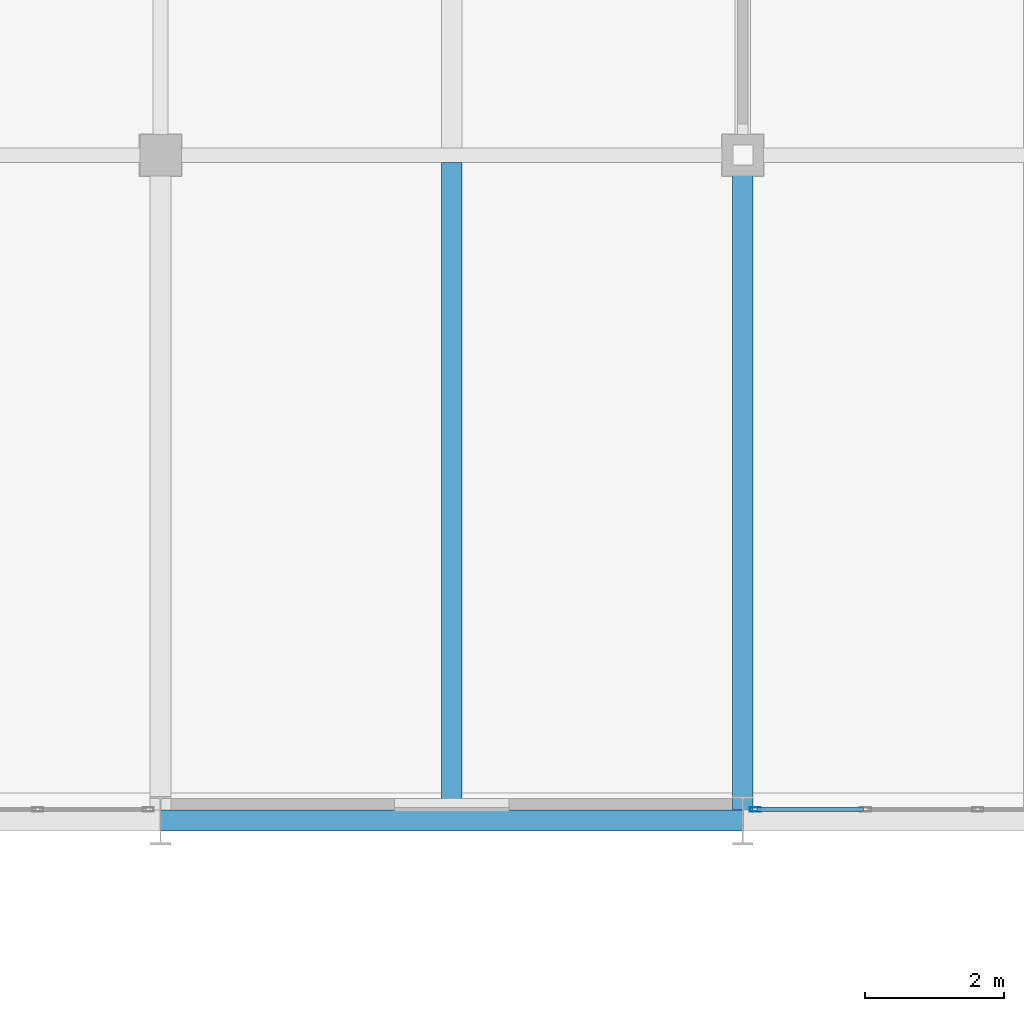
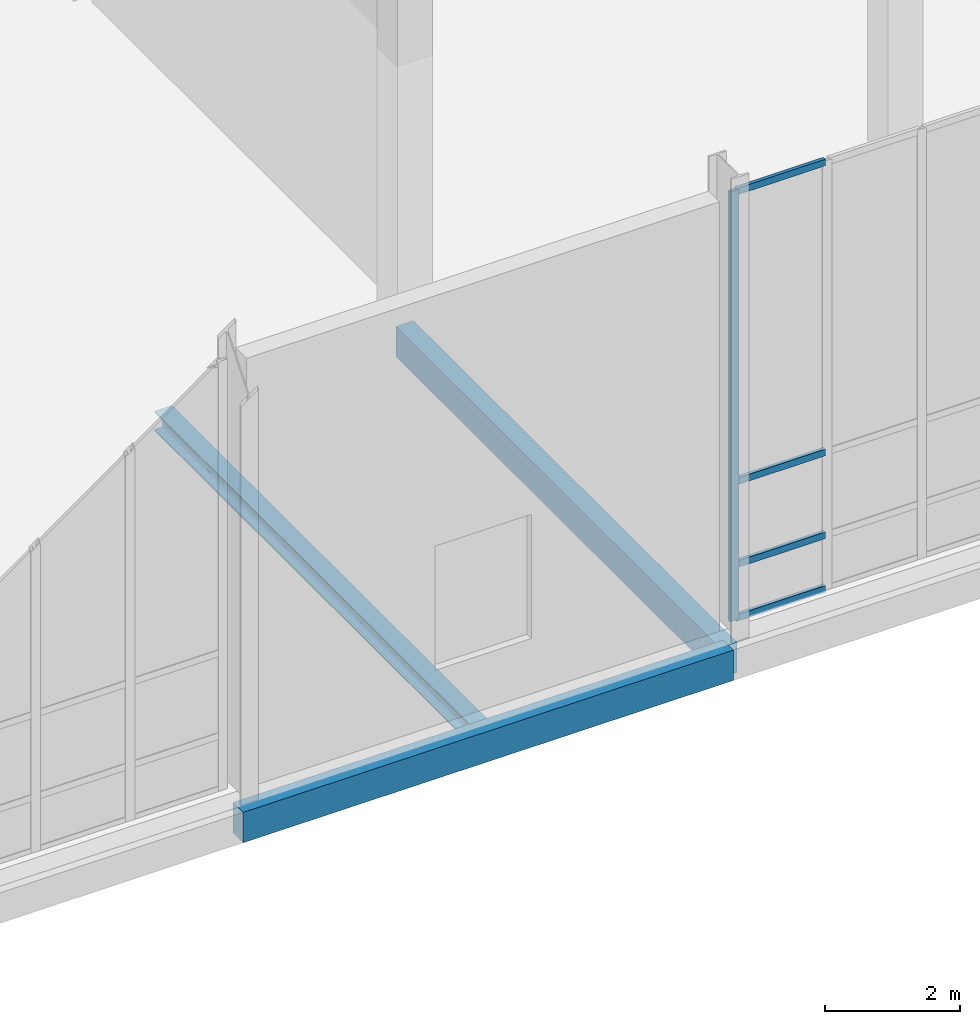
# One storey, part 83 of 131: 5 members, 3 beams, 1 element without a shape of its own.
"""IFC4 building model written with IfcOpenShell, lengths in metres."""

from ifc_helpers import new_model, si_unit, direction, frame, origin, origin_2d, place, context, subcontext, project, spatial, rectangle, hollow_rectangle, i_section, extrude, material, material_profile, profile_set, type_object, element, aggregate, save


model = new_model("IFC4")

# Units and contexts
model_context = context("Model", 3, precision=1e-05, world=origin(), true_north=direction((0.0, 1.0)))
body_context = subcontext(model_context, "Body", "Model", "MODEL_VIEW")
ifc_project = project(units=[si_unit("LENGTHUNIT", "METRE"), si_unit("AREAUNIT", "SQUARE_METRE"), si_unit("VOLUMEUNIT", "CUBIC_METRE"), si_unit("PLANEANGLEUNIT", "RADIAN"), si_unit("MASSUNIT", "GRAM", prefix="KILO")], contexts=[model_context])

# Site, building, storey
site_placement = place(None, origin())
site = spatial("IfcSite", under=ifc_project, at=site_placement, CompositionType="ELEMENT")
building_placement = place(site_placement, origin())
building = spatial("IfcBuilding", under=site, at=building_placement, Name="Veltarok Museum of Natural Sciences", CompositionType="ELEMENT")
storey_placement = place(building_placement, origin())
storey = spatial("IfcBuildingStorey", under=building, at=storey_placement, Name="L00", CompositionType="ELEMENT", Elevation=0.0)

# Curtain wall, members
ifc_material_1 = material(Name="Low-iron triple insulated glass", Category="glass")
curtain_wall_type = type_object("IfcCurtainWallType", Name="Curtain Wall System CW-V5S-L00-18-810x778 (V5 South Lab Curtain Wall L00 18-19 810x778cm)", PredefinedType="NOTDEFINED", material=ifc_material_1)
curtain_wall_placement = place(storey_placement, origin())
curtain_wall = element("IfcCurtainWall", 1, at=curtain_wall_placement, inside=storey, type_object=curtain_wall_type, Name="Curtain Wall CW-V5S-L00-18-810x778 CW-0088", PredefinedType="NOTDEFINED")
ifc_material_2 = material(Name="Thermally broken anodised aluminium", Category="aluminium")
ifc_material_profile_1 = material_profile(ifc_material_2, hollow_rectangle(XDim=0.06005859375, YDim=0.1201171875, WallThickness=0.0048828125, at=origin_2d()), Name="CW TRANSOM 60x120x5")
ifc_profile_set_1 = profile_set([ifc_material_profile_1], Name="Thermally broken anodised aluminium")
member_type_1 = type_object("IfcMemberType", Name="Curtain Wall Horizontal Transom 60x120x5", PredefinedType="USERDEFINED", material=ifc_profile_set_1)
member_1_placement = place(storey_placement, frame((149.409912109375, 0.159912109375, 0.030029296875), z_axis=(1.0, 0.0, 0.0), x_axis=(0.0, 1.0, 0.0)))
member_1 = element("IfcMember", 2, at=member_1_placement, type_object=member_type_1, Name="CW-V5S-L00-18-810x778 transom 1.1", ObjectType="TRANSOM", PredefinedType="USERDEFINED", context=body_context, shape_type="SweptSolid", body=[
    extrude(hollow_rectangle(XDim=0.06005859375, YDim=0.1201171875, WallThickness=0.0048828125, at=origin_2d()), origin(), (0.0, 0.0, 1.0), 1.530029296875),
])
member_2_placement = place(storey_placement, frame((149.409912109375, 0.159912109375, 1.0), z_axis=(1.0, 0.0, 0.0), x_axis=(0.0, 1.0, 0.0)))
member_2 = element("IfcMember", 3, at=member_2_placement, type_object=member_type_1, Name="CW-V5S-L00-18-810x778 transom 1.2", ObjectType="TRANSOM", PredefinedType="USERDEFINED", context=body_context, shape_type="SweptSolid", body=[
    extrude(hollow_rectangle(XDim=0.06005859375, YDim=0.1201171875, WallThickness=0.0048828125, at=origin_2d()), origin(), (0.0, 0.0, 1.0), 1.530029296875),
])
member_3_placement = place(storey_placement, frame((149.409912109375, 0.159912109375, 2.5), z_axis=(1.0, 0.0, 0.0), x_axis=(0.0, 1.0, 0.0)))
member_3 = element("IfcMember", 4, at=member_3_placement, type_object=member_type_1, Name="CW-V5S-L00-18-810x778 transom 1.3", ObjectType="TRANSOM", PredefinedType="USERDEFINED", context=body_context, shape_type="SweptSolid", body=[
    extrude(hollow_rectangle(XDim=0.06005859375, YDim=0.1201171875, WallThickness=0.0048828125, at=origin_2d()), origin(), (0.0, 0.0, 1.0), 1.530029296875),
])
member_4_placement = place(storey_placement, frame((149.409912109375, 0.159912109375, 7.75), z_axis=(1.0, 0.0, 0.0), x_axis=(0.0, 1.0, 0.0)))
member_4 = element("IfcMember", 5, at=member_4_placement, type_object=member_type_1, Name="CW-V5S-L00-18-810x778 transom 1.4", ObjectType="TRANSOM", PredefinedType="USERDEFINED", context=body_context, shape_type="SweptSolid", body=[
    extrude(hollow_rectangle(XDim=0.06005859375, YDim=0.1201171875, WallThickness=0.0048828125, at=origin_2d()), origin(), (0.0, 0.0, 1.0), 1.530029296875),
])
ifc_material_profile_2 = material_profile(ifc_material_2, hollow_rectangle(XDim=0.06005859375, YDim=0.159912109375, WallThickness=0.0048828125, at=origin_2d()), Name="CW MULLION 60x160x5")
ifc_profile_set_2 = profile_set([ifc_material_profile_2], Name="Thermally broken anodised aluminium")
member_type_2 = type_object("IfcMemberType", Name="Curtain Wall Vertical Mullion 60x160x5", PredefinedType="MULLION", material=ifc_profile_set_2)
member_5_placement = place(storey_placement, frame((149.3798828125, 0.159912109375, 0.0), z_axis=(0.0, 0.0, 1.0), x_axis=(0.0, 1.0, 0.0)))
member_5 = element("IfcMember", 6, at=member_5_placement, type_object=member_type_2, Name="CW-V5S-L00-18-810x778 mullion 1", PredefinedType="MULLION", context=body_context, shape_type="SweptSolid", body=[
    extrude(hollow_rectangle(XDim=0.06005859375, YDim=0.159912109375, WallThickness=0.0048828125, at=origin_2d()), origin(), (0.0, 0.0, 1.0), 7.780029296875),
])
aggregate(curtain_wall, [member_5, member_1, member_2, member_3, member_4])

# Beams
ifc_material_3 = material(Name="Precast concrete C40/50", Category="concrete")
ifc_material_profile_3 = material_profile(ifc_material_3, rectangle(XDim=0.300048828125, YDim=0.550048828125, at=origin_2d()), Name="RC 300x550")
ifc_profile_set_3 = profile_set([ifc_material_profile_3], Name="Precast concrete C40/50")
beam_type_1 = type_object("IfcBeamType", Name="East Wing Precast Spandrel RC 300x550", PredefinedType="SPANDREL", material=ifc_profile_set_3)
beam_1_placement = place(storey_placement, frame((140.800048828125, 0.0, -0.574951171875), z_axis=(1.0, 0.0, 0.0), x_axis=(0.0, 1.0, 0.0)))
element("IfcBeam", 7, at=beam_1_placement, inside=storey, type_object=beam_type_1, Name="Beam BM-SP02 L00 17-18/A", PredefinedType="SPANDREL", context=body_context, shape_type="SweptSolid", body=[
    extrude(rectangle(XDim=0.300048828125, YDim=0.550048828125, at=origin_2d()), origin(), (0.0, 0.0, 1.0), 8.39990234375),
])
beam_2_placement = place(storey_placement, frame((149.199951171875, 0.0, -0.574951171875), z_axis=(0.0, 1.0, 0.0), x_axis=(-1.0, 0.0, 0.0)))
element("IfcBeam", 8, at=beam_2_placement, inside=storey, type_object=beam_type_1, Name="Beam BM-SP02 L00 18/A-B", PredefinedType="SPANDREL", context=body_context, shape_type="SweptSolid", body=[
    extrude(rectangle(XDim=0.300048828125, YDim=0.550048828125, at=origin_2d()), origin(), (0.0, 0.0, 1.0), 9.60009765625),
])
ifc_material_4 = material(Name="Steel S355J2", Category="steel")
ifc_material_profile_4 = material_profile(ifc_material_4, i_section(OverallWidth=0.300048828125, OverallDepth=0.35009765625, WebThickness=0.010009765625, FlangeThickness=0.017578125, FilletRadius=0.027099609375, at=origin_2d()), Name="HEA 360")
ifc_profile_set_4 = profile_set([ifc_material_profile_4], Name="Steel S355J2")
beam_type_2 = type_object("IfcBeamType", Name="Long-Span Gallery Joist HEA 360", PredefinedType="JOIST", material=ifc_profile_set_4)
beam_3_placement = place(storey_placement, frame((145.0, 0.14794921875, -0.47509765625), z_axis=(0.0, 1.0, 0.0), x_axis=(-1.0, 0.0, 0.0)))
element("IfcBeam", 9, at=beam_3_placement, inside=storey, type_object=beam_type_2, Name="Secondary Joist BM-J07 L00 17-18/A-B.1", PredefinedType="JOIST", context=body_context, shape_type="SweptSolid", body=[
    extrude(i_section(OverallWidth=0.300048828125, OverallDepth=0.35009765625, WebThickness=0.010009765625, FlangeThickness=0.017578125, FilletRadius=0.027099609375, at=origin_2d()), origin(), (0.0, 0.0, 1.0), 9.34912109375),
])

save(model, "model.ifc")
